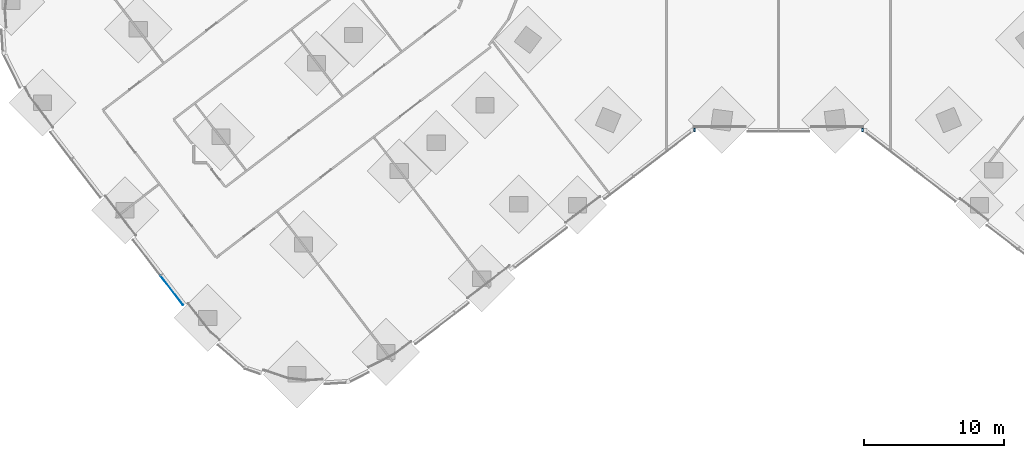
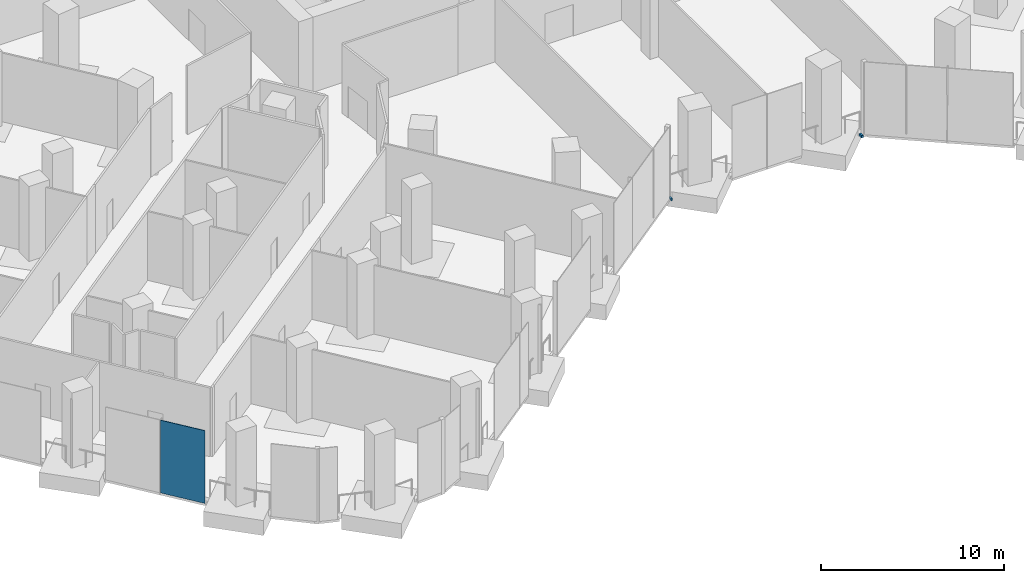
# One storey, part 12 of 27: 2 members, 1 plate, 2 elements without a shape of their own.
"""IFC4 building model written with IfcOpenShell, lengths in metres."""

from ifc_helpers import new_model, si_unit, direction, frame, origin, origin_2d, place, context, subcontext, project, spatial, rectangle, extrude, material, layer, layer_set, material_profile, profile_set, type_object, element, aggregate, save


model = new_model("IFC4")

# Units and contexts
model_context = context("Model", 3, precision=1e-05, world=origin(), true_north=direction((0.0, 1.0)))
body_context = subcontext(model_context, "Body", "Model", "MODEL_VIEW")
ifc_project = project(units=[si_unit("LENGTHUNIT", "METRE"), si_unit("AREAUNIT", "SQUARE_METRE"), si_unit("VOLUMEUNIT", "CUBIC_METRE"), si_unit("PLANEANGLEUNIT", "RADIAN"), si_unit("MASSUNIT", "GRAM", prefix="KILO")], contexts=[model_context])

# Site, building, storey
site_placement = place(None, origin())
site = spatial("IfcSite", under=ifc_project, at=site_placement, CompositionType="ELEMENT")
building_placement = place(site_placement, origin())
building = spatial("IfcBuilding", under=site, at=building_placement, Name="Orlundy Tower", CompositionType="ELEMENT")
storey_placement = place(building_placement, frame((0.0, 0.0, 10.5)))
storey = spatial("IfcBuildingStorey", under=building, at=storey_placement, Name="L01", CompositionType="ELEMENT", Elevation=10.5)

# Curtain wall, members
ifc_material_1 = material(Name="Aluminium bronze anodised", Category="aluminium")
curtain_wall_type = type_object("IfcCurtainWallType", Name="CW2 wall", PredefinedType="NOTDEFINED", material=ifc_material_1)
curtain_wall_1_placement = place(storey_placement, origin())
curtain_wall_1 = element("IfcCurtainWall", 1, at=curtain_wall_1_placement, inside=storey, type_object=curtain_wall_type, Name="CW2 run 01", PredefinedType="NOTDEFINED")
ifc_material_2 = material(Name="Aluminium bronze anodised", Category="aluminium")
ifc_material_profile = material_profile(ifc_material_2, rectangle(XDim=0.25, YDim=0.14990234375, at=origin_2d()), Name="CW2 transom 250x150")
ifc_profile_set = profile_set([ifc_material_profile], Name="Aluminium bronze anodised")
member_type = type_object("IfcMemberType", Name="CW2 transom 250x150", PredefinedType="USERDEFINED", material=ifc_profile_set)
member_1_placement = place(storey_placement, frame((6.07568359375, -30.125, -0.324951171875), z_axis=(-1.0, 0.0, 0.0), x_axis=(0.0, -1.0, 0.0)))
member_1 = element("IfcMember", 2, at=member_1_placement, type_object=member_type, Name="CW2 transom", ObjectType="TRANSOM", PredefinedType="USERDEFINED", context=body_context, shape_type="SweptSolid", body=[
    extrude(rectangle(XDim=0.25, YDim=0.14990234375, at=origin_2d()), origin(), (0.0, 0.0, 1.0), 0.12548828125),
])
member_2_placement = place(storey_placement, frame((-5.9501953125, -30.125, -0.324951171875), z_axis=(-1.0, 0.0, 0.0), x_axis=(0.0, -1.0, 0.0)))
member_2 = element("IfcMember", 3, at=member_2_placement, type_object=member_type, Name="CW2 transom", ObjectType="TRANSOM", PredefinedType="USERDEFINED", context=body_context, shape_type="SweptSolid", body=[
    extrude(rectangle(XDim=0.25, YDim=0.14990234375, at=origin_2d()), origin(), (0.0, 0.0, 1.0), 0.0927734375),
])
aggregate(curtain_wall_1, [member_1, member_2])

# Curtain wall, plate
curtain_wall_2_placement = place(storey_placement, origin())
curtain_wall_2 = element("IfcCurtainWall", 4, at=curtain_wall_2_placement, inside=storey, type_object=curtain_wall_type, Name="CW2 run 07", PredefinedType="NOTDEFINED")
ifc_material_3 = material(Name="Tinted glass", Category="glass")
ifc_layer = layer(ifc_material_3, 0.0380859375)
ifc_layer_set = layer_set([ifc_layer], Name="CW2 glass panel 38")
plate_type = type_object("IfcPlateType", Name="CW2 glass panel 38", PredefinedType="CURTAIN_PANEL", material=ifc_layer_set)
plate_placement = place(storey_placement, frame((-43.380126953125, -41.585693359375, -0.25), z_axis=(0.0, 0.0, 1.0), x_axis=(-0.608748393046, 0.793363342967, 0.0)))
plate = element("IfcPlate", 5, at=plate_placement, type_object=plate_type, Name="CW2 panel", PredefinedType="CURTAIN_PANEL", context=body_context, shape_type="SweptSolid", body=[
    extrude(rectangle(XDim=2.6181640625, YDim=0.0380859375, at=origin_2d()), origin(), (0.0, 0.0, 1.0), 4.85009765625),
])
aggregate(curtain_wall_2, [plate])

save(model, "model.ifc")
